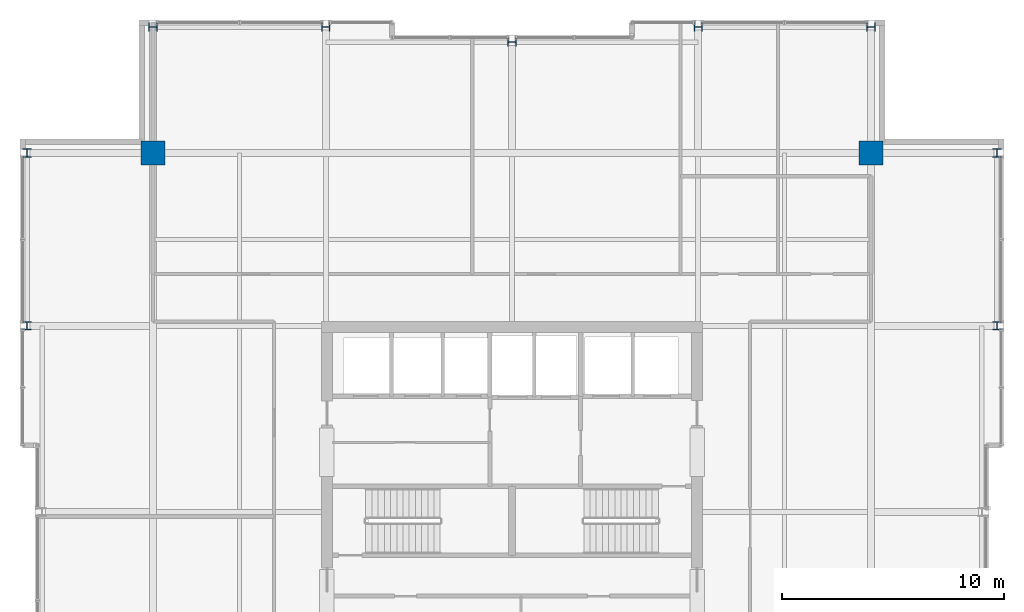
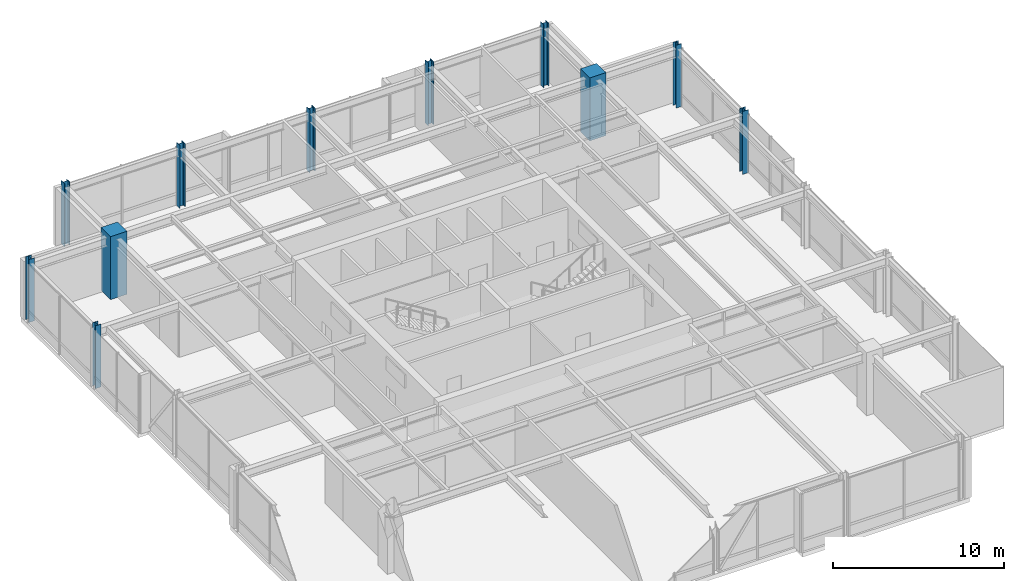
# One storey, part 2 of 32: 11 columns.
"""IFC4 building model written with IfcOpenShell, lengths in metres."""

from ifc_helpers import new_model, si_unit, direction, frame, origin, origin_2d, place, context, subcontext, project, spatial, rectangle, i_section, extrude, material, material_profile, profile_set, type_object, element, save


model = new_model("IFC4")

# Units and contexts
model_context = context("Model", 3, precision=1e-05, world=origin(), true_north=direction((0.0, 1.0)))
body_context = subcontext(model_context, "Body", "Model", "MODEL_VIEW")
ifc_project = project(units=[si_unit("LENGTHUNIT", "METRE"), si_unit("AREAUNIT", "SQUARE_METRE"), si_unit("VOLUMEUNIT", "CUBIC_METRE"), si_unit("PLANEANGLEUNIT", "RADIAN"), si_unit("MASSUNIT", "GRAM", prefix="KILO")], contexts=[model_context])

# Site, building, storey
site_placement = place(None, origin())
site = spatial("IfcSite", under=ifc_project, at=site_placement, CompositionType="ELEMENT")
building_placement = place(site_placement, origin())
building = spatial("IfcBuilding", under=site, at=building_placement, Name="Drelvath Grand Hotel", CompositionType="ELEMENT")
storey_placement = place(building_placement, frame((0.0, 0.0, 255.5)))
storey = spatial("IfcBuildingStorey", under=building, at=storey_placement, Name="L67", CompositionType="ELEMENT", Elevation=255.5)

# Columns
ifc_material_1 = material(Name="Concrete f'c 55 MPa", Category="concrete")
ifc_material_profile_1 = material_profile(ifc_material_1, rectangle(XDim=1.10009765625, YDim=1.10009765625, at=origin_2d()), Name="MC1100X1100")
ifc_profile_set_1 = profile_set([ifc_material_profile_1], Name="Concrete f'c 55 MPa")
column_type_1 = type_object("IfcColumnType", Name="Composite Mega Column MC1100X1100", PredefinedType="COLUMN", material=ifc_profile_set_1)
for number, where, z_axis, x_axis, name in (
    (1, (-16.199951171875, 43.199951171875, 0.0), (0.0, 0.0, 1.0), (1.0, 0.0, 0.0), "L67 Composite Mega Column MC-NW"),
    (2, (16.199951171875, 43.199951171875, 0.0), (0.0, 0.0, 1.0), (1.0, 0.0, 0.0), "L67 Composite Mega Column MC-NE"),
):
    element("IfcColumn", number, at=place(storey_placement, frame(where, z_axis=z_axis, x_axis=x_axis)), inside=storey, type_object=column_type_1, Name=name, PredefinedType="COLUMN", context=body_context, shape_type="SweptSolid", body=[
        extrude(rectangle(XDim=1.10009765625, YDim=1.10009765625, at=origin_2d()), origin(), (0.0, 0.0, 1.0), 4.5),
    ])
ifc_material_2 = material(Name="Steel ASTM A913 Gr 65", Category="steel")
ifc_material_profile_2 = material_profile(ifc_material_2, i_section(OverallWidth=0.3740234375, OverallDepth=0.372314453125, WebThickness=0.016357421875, FlangeThickness=0.026123046875, FilletRadius=0.02490234375, at=origin_2d()), Name="W14X132")
ifc_profile_set_2 = profile_set([ifc_material_profile_2], Name="Steel ASTM A913 Gr 65")
column_type_2 = type_object("IfcColumnType", Name="Perimeter Steel Column W14X132", PredefinedType="COLUMN", material=ifc_profile_set_2)
for number, where, z_axis, x_axis, name in (
    (3, (-21.8798828125, 35.39990234375, 0.0), (0.0, 0.0, 1.0), (1.0, 0.0, 0.0), "L67 Structural Column TCW-F"),
    (4, (21.8798828125, 35.39990234375, 0.0), (0.0, 0.0, 1.0), (1.0, 0.0, 0.0), "L67 Structural Column TCE-F"),
    (5, (-21.8798828125, 43.199951171875, 0.0), (0.0, 0.0, 1.0), (1.0, 0.0, 0.0), "L67 Structural Column TCW-G"),
    (6, (21.8798828125, 43.199951171875, 0.0), (0.0, 0.0, 1.0), (1.0, 0.0, 0.0), "L67 Structural Column TCE-G"),
    (7, (-16.199951171875, 48.8798828125, 0.0), (0.0, 0.0, 1.0), (0.0, 1.0, 0.0), "L67 Structural Column TCN-3"),
    (8, (-8.39990234375, 48.8798828125, 0.0), (0.0, 0.0, 1.0), (0.0, 1.0, 0.0), "L67 Structural Column TCN-4"),
    (9, (0.0, 48.199951171875, 0.0), (0.0, 0.0, 1.0), (0.0, 1.0, 0.0), "L67 Structural Column TCN-5"),
    (10, (8.39990234375, 48.8798828125, 0.0), (0.0, 0.0, 1.0), (0.0, 1.0, 0.0), "L67 Structural Column TCN-6"),
    (11, (16.199951171875, 48.8798828125, 0.0), (0.0, 0.0, 1.0), (0.0, 1.0, 0.0), "L67 Structural Column TCN-7"),
):
    element("IfcColumn", number, at=place(storey_placement, frame(where, z_axis=z_axis, x_axis=x_axis)), inside=storey, type_object=column_type_2, Name=name, PredefinedType="COLUMN", context=body_context, shape_type="SweptSolid", body=[
        extrude(i_section(OverallWidth=0.3740234375, OverallDepth=0.372314453125, WebThickness=0.016357421875, FlangeThickness=0.026123046875, FilletRadius=0.02490234375, at=origin_2d()), origin(), (0.0, 0.0, 1.0), 4.4970703125),
    ])

save(model, "model.ifc")
